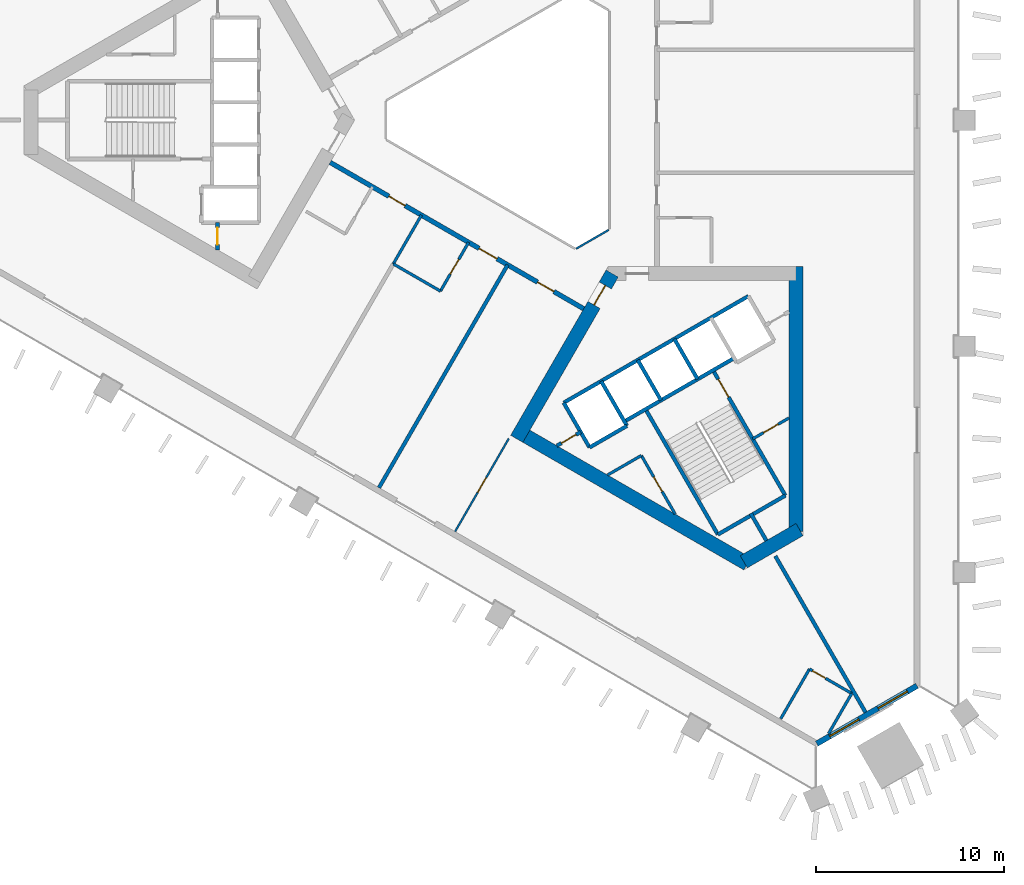
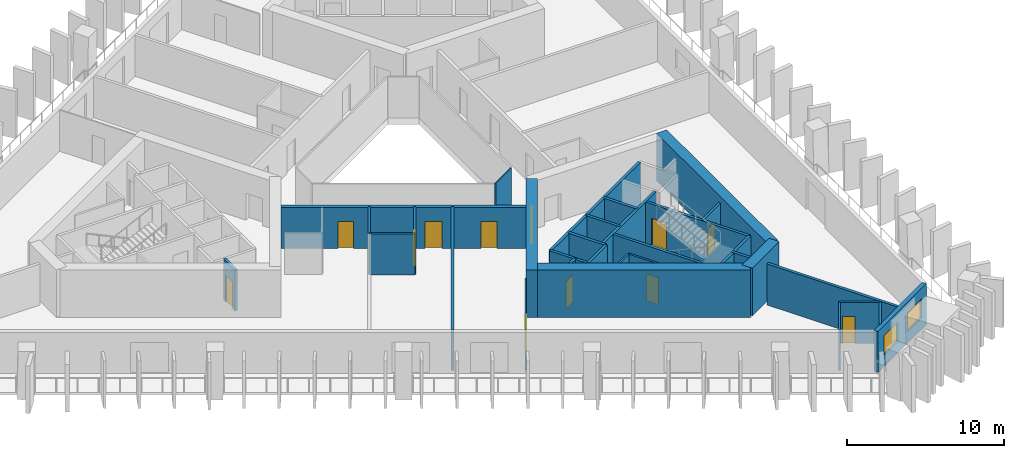
# One storey, part 2 of 10: 32 walls, 12 doors, 2 windows, 14 openings.
"""IFC4 building model written with IfcOpenShell, lengths in metres."""

from ifc_helpers import new_model, si_unit, direction, frame, frame_2d, origin, place, context, subcontext, project, spatial, rectangle, extrude, material, layer, layer_set, type_object, element, fill, save


model = new_model("IFC4")

# Units and contexts
model_context = context("Model", 3, precision=1e-05, world=origin(), true_north=direction((0.0, 1.0)))
body_context = subcontext(model_context, "Body", "Model", "MODEL_VIEW")
ifc_project = project(units=[si_unit("LENGTHUNIT", "METRE"), si_unit("AREAUNIT", "SQUARE_METRE"), si_unit("VOLUMEUNIT", "CUBIC_METRE"), si_unit("PLANEANGLEUNIT", "RADIAN"), si_unit("MASSUNIT", "GRAM", prefix="KILO")], contexts=[model_context])

# Site, building, storey
site_placement = place(None, origin())
site = spatial("IfcSite", under=ifc_project, at=site_placement, CompositionType="ELEMENT")
building_placement = place(site_placement, origin())
building = spatial("IfcBuilding", under=site, at=building_placement, Name="Jabali Bay Hotel Tower and Convention Centre", CompositionType="ELEMENT")
storey_placement = place(building_placement, frame((0.0, 0.0, 57.300048828125)))
storey = spatial("IfcBuildingStorey", under=building, at=storey_placement, Name="L12", CompositionType="ELEMENT", Elevation=57.300048828125)

# Wall
ifc_material_1 = material(Name="Fire-resistant glazing", Category="glass")
ifc_layer_1 = layer(ifc_material_1, 0.10009765625)
ifc_layer_set_1 = layer_set([ifc_layer_1], Name="Fire-resistant glazing")
wall_type_1 = type_object("IfcWallType", Name="Atrium glazed screen 100", PredefinedType="PARTITIONING", material=ifc_layer_set_1)
wall_1_placement = place(storey_placement, frame((77.7978515625, 73.15380859375, 0.0), z_axis=(0.0, 0.0, 1.0), x_axis=(0.866041268327, 0.499972520799, 0.0)))
element("IfcWall", 1, at=wall_1_placement, inside=storey, type_object=wall_type_1, Name="Atrium screen 6 L12", PredefinedType="PARTITIONING", context=body_context, shape_type="SweptSolid", body=[
    extrude(rectangle(XDim=2.0, YDim=0.10009765625, at=frame_2d((1.0, 0.0))), origin(), (0.0, 0.0, 1.0), 3.199951171875),
])

# Wall, opening, door
ifc_material_2 = material(Name="Concrete C40", Category="concrete")
ifc_layer_2 = layer(ifc_material_2, 0.199951171875)
ifc_layer_set_2 = layer_set([ifc_layer_2], Name="Concrete C40")
wall_type_2 = type_object("IfcWallType", Name="Core partition wall 200", PredefinedType="PARTITIONING", material=ifc_layer_set_2)
wall_2_placement = place(storey_placement, frame((58.699951171875, 74.550048828125, 0.0), z_axis=(0.0, 0.0, 1.0), x_axis=(0.0, -1.0, 0.0)))
wall_2 = element("IfcWall", 2, at=wall_2_placement, inside=storey, type_object=wall_type_2, Name="Core wall 0.12 L12", PredefinedType="PARTITIONING", context=body_context, shape_type="SweptSolid", body=[
    extrude(rectangle(XDim=1.455078125, YDim=0.199951171875, at=frame_2d((0.7275390625, 0.0))), origin(), (0.0, 0.0, 1.0), 3.199951171875),
])
opening_1_placement = place(wall_2_placement, frame((0.277587890625, 0.0, 0.0)))
opening_1 = element("IfcOpeningElement", 3, at=opening_1_placement, cuts=wall_2, Name="Opening D327", PredefinedType="OPENING", context=body_context, shape_type="SweptSolid", body=[
    extrude(rectangle(XDim=0.89990234375, YDim=2.10009765625, at=frame_2d((0.449951171875, 1.050048828125))), frame((0.0, 0.1103515625, 0.0), z_axis=(0.0, -1.0, 0.0), x_axis=(1.0, 0.0, 0.0)), (0.0, 0.0, 1.0), 0.220947265625),
])
ifc_material_3 = material(Name="Fire-rated steel door", Category="steel")
door_type_1 = type_object("IfcDoorType", Name="Vestibule fire door 900 x 2100", OperationType="NOTDEFINED", PredefinedType="NOTDEFINED", material=ifc_material_3)
door_1_placement = place(opening_1_placement, origin())
door_1 = element("IfcDoor", 4, at=door_1_placement, inside=storey, type_object=door_type_1, Name="Vestibule fire door D327", OperationType="SINGLE_SWING_LEFT", OverallHeight=2.10009765625, OverallWidth=0.89990234375, PredefinedType="NOTDEFINED", context=body_context, shape_type="SweptSolid", body=[
    extrude(rectangle(XDim=0.89990234375, YDim=2.10009765625, at=frame_2d((0.449951171875, 1.050048828125))), frame((0.0, 0.02490234375, 0.0), z_axis=(0.0, -1.0, 0.0), x_axis=(1.0, 0.0, 0.0)), (0.0, 0.0, 1.0), 0.050048828125),
])
fill(opening_1, door_1)

# Wall
wall_3_placement = place(storey_placement, frame((87.090087890625, 59.0595703125, 0.0), z_axis=(0.0, 0.0, 1.0), x_axis=(0.499937194881, -0.866061661301, 0.0)))
element("IfcWall", 5, at=wall_3_placement, inside=storey, type_object=wall_type_2, Name="Core wall 2.5 L12", PredefinedType="PARTITIONING", context=body_context, shape_type="SweptSolid", body=[
    extrude(rectangle(XDim=1.673095703125, YDim=0.199951171875, at=frame_2d((0.83642578125, 0.0))), origin(), (0.0, 0.0, 1.0), 3.199951171875),
])

# Wall, opening, door
wall_4_placement = place(storey_placement, frame((76.77001953125, 62.662109375, 0.0), z_axis=(0.0, 0.0, 1.0), x_axis=(0.866054810376, 0.49994906283, 0.0)))
wall_4 = element("IfcWall", 6, at=wall_4_placement, inside=storey, type_object=wall_type_2, Name="Core wall 2.11 L12", PredefinedType="PARTITIONING", context=body_context, shape_type="SweptSolid", body=[
    extrude(rectangle(XDim=1.461181640625, YDim=0.199951171875, at=frame_2d((0.73046875, 0.0))), origin(), (0.0, 0.0, 1.0), 3.199951171875),
])
opening_2_placement = place(wall_4_placement, frame((0.280517578125, 0.0, 0.0)))
opening_2 = element("IfcOpeningElement", 7, at=opening_2_placement, cuts=wall_4, Name="Opening D342", PredefinedType="OPENING", context=body_context, shape_type="SweptSolid", body=[
    extrude(rectangle(XDim=0.89990234375, YDim=2.10009765625, at=frame_2d((0.449951171875, 1.050048828125))), frame((0.0, 0.1103515625, 0.0), z_axis=(0.0, -1.0, 0.0), x_axis=(1.0, 0.0, 0.0)), (0.0, 0.0, 1.0), 0.220947265625),
])
door_2_placement = place(opening_2_placement, origin())
door_2 = element("IfcDoor", 8, at=door_2_placement, inside=storey, type_object=door_type_1, Name="Vestibule fire door D342", OperationType="SINGLE_SWING_LEFT", OverallHeight=2.10009765625, OverallWidth=0.89990234375, PredefinedType="NOTDEFINED", context=body_context, shape_type="SweptSolid", body=[
    extrude(rectangle(XDim=0.89990234375, YDim=2.10009765625, at=frame_2d((0.449951171875, 1.050048828125))), frame((0.0, 0.02490234375, 0.0), z_axis=(0.0, -1.0, 0.0), x_axis=(1.0, 0.0, 0.0)), (0.0, 0.0, 1.0), 0.050048828125),
])
fill(opening_2, door_2)

ifc_material_4 = material(Name="Fire-rated board partition")
ifc_layer_3 = layer(ifc_material_4, 0.14990234375)
ifc_layer_set_3 = layer_set([ifc_layer_3], Name="Fire-rated board partition")
wall_type_3 = type_object("IfcWallType", Name="Core room partition 150", PredefinedType="PARTITIONING", material=ifc_layer_set_3)
wall_5_placement = place(storey_placement, frame((81.268798828125, 62.141845703125, 0.0), z_axis=(0.0, 0.0, 1.0), x_axis=(0.500043557135, -0.866000254601, 0.0)))
wall_5 = element("IfcWall", 9, at=wall_5_placement, inside=storey, type_object=wall_type_3, Name="Core wall 2.1 L12", PredefinedType="PARTITIONING", context=body_context, shape_type="SweptSolid", body=[
    extrude(rectangle(XDim=3.597900390625, YDim=0.14990234375, at=frame_2d((1.798828125, 0.0))), origin(), (0.0, 0.0, 1.0), 3.199951171875),
])
opening_3_placement = place(wall_5_placement, frame((1.321533203125, 0.0, 0.0)))
opening_3 = element("IfcOpeningElement", 10, at=opening_3_placement, cuts=wall_5, Name="Opening D344", PredefinedType="OPENING", context=body_context, shape_type="SweptSolid", body=[
    extrude(rectangle(XDim=0.89990234375, YDim=2.10009765625, at=frame_2d((0.449951171875, 1.050048828125))), frame((0.0, 0.08544921875, 0.0), z_axis=(0.0, -1.0, 0.0), x_axis=(1.0, 0.0, 0.0)), (0.0, 0.0, 1.0), 0.1708984375),
])
door_type_2 = type_object("IfcDoorType", Name="Core room door 900 x 2100", OperationType="NOTDEFINED", PredefinedType="NOTDEFINED", material=ifc_material_3)
door_3_placement = place(opening_3_placement, origin())
door_3 = element("IfcDoor", 11, at=door_3_placement, inside=storey, type_object=door_type_2, Name="Core room door D344", OperationType="SINGLE_SWING_LEFT", OverallHeight=2.10009765625, OverallWidth=0.89990234375, PredefinedType="NOTDEFINED", context=body_context, shape_type="SweptSolid", body=[
    extrude(rectangle(XDim=0.89990234375, YDim=2.10009765625, at=frame_2d((0.449951171875, 1.050048828125))), frame((0.0, 0.02490234375, 0.0), z_axis=(0.0, -1.0, 0.0), x_axis=(1.0, 0.0, 0.0)), (0.0, 0.0, 1.0), 0.050048828125),
])
fill(opening_3, door_3)

# Wall
wall_6_placement = place(storey_placement, frame((79.469970703125, 61.103271484375, 0.0), z_axis=(0.0, 0.0, 1.0), x_axis=(0.866021168401, 0.500007335828, 0.0)))
element("IfcWall", 12, at=wall_6_placement, inside=storey, type_object=wall_type_3, Name="Core wall 2.16 L12", PredefinedType="PARTITIONING", context=body_context, shape_type="SweptSolid", body=[
    extrude(rectangle(XDim=2.0771484375, YDim=0.14990234375, at=frame_2d((1.03857421875, 0.0))), origin(), (0.0, 0.0, 1.0), 3.199951171875),
])

# Wall, opening, door
wall_7_placement = place(storey_placement, frame((87.197021484375, 63.024169921875, 0.0), z_axis=(0.0, 0.0, 1.0), x_axis=(0.866019818373, 0.500009674092, 0.0)))
wall_7 = element("IfcWall", 13, at=wall_7_placement, inside=storey, type_object=wall_type_3, Name="Core wall 2.17 L12", PredefinedType="PARTITIONING", context=body_context, shape_type="SweptSolid", body=[
    extrude(rectangle(XDim=2.23193359375, YDim=0.14990234375, at=frame_2d((1.115966796875, 0.0))), origin(), (0.0, 0.0, 1.0), 3.199951171875),
])
opening_4_placement = place(wall_7_placement, frame((0.666015625, 0.0, 0.0)))
opening_4 = element("IfcOpeningElement", 14, at=opening_4_placement, cuts=wall_7, Name="Opening D340", PredefinedType="OPENING", context=body_context, shape_type="SweptSolid", body=[
    extrude(rectangle(XDim=0.89990234375, YDim=2.10009765625, at=frame_2d((0.449951171875, 1.050048828125))), frame((0.0, 0.08544921875, 0.0), z_axis=(0.0, -1.0, 0.0), x_axis=(1.0, 0.0, 0.0)), (0.0, 0.0, 1.0), 0.1708984375),
])
door_4_placement = place(opening_4_placement, origin())
door_4 = element("IfcDoor", 15, at=door_4_placement, inside=storey, type_object=door_type_2, Name="Core room door D340", OperationType="SINGLE_SWING_LEFT", OverallHeight=2.10009765625, OverallWidth=0.89990234375, PredefinedType="NOTDEFINED", context=body_context, shape_type="SweptSolid", body=[
    extrude(rectangle(XDim=0.89990234375, YDim=2.10009765625, at=frame_2d((0.449951171875, 1.050048828125))), frame((0.0, 0.02490234375, 0.0), z_axis=(0.0, -1.0, 0.0), x_axis=(1.0, 0.0, 0.0)), (0.0, 0.0, 1.0), 0.050048828125),
])
fill(opening_4, door_4)

# Walls
ifc_layer_4 = layer(ifc_material_2, 0.199951171875)
ifc_layer_set_4 = layer_set([ifc_layer_4], Name="Concrete C40")
wall_type_4 = type_object("IfcWallType", Name="Core stair wall 200", PredefinedType="SOLIDWALL", material=ifc_layer_set_4)
for number, where, z_axis, x_axis, name in (
    (16, (77.13525390625, 64.95166015625, 0.0), (0.0, 0.0, 1.0), (0.499996545922, -0.866027397988, 0.0), "Core wall 2.0 L12"),
    (17, (79.127197265625, 66.1015625, 0.0), (0.0, 0.0, 1.0), (0.499996545922, -0.866027397988, 0.0), "Core wall 2.2 L12"),
):
    element("IfcWall", number, at=place(storey_placement, frame(where, z_axis=z_axis, x_axis=x_axis)), inside=storey, type_object=wall_type_4, Name=name, PredefinedType="SOLIDWALL", context=body_context, shape_type="SweptSolid", body=[
        extrude(rectangle(XDim=2.75, YDim=0.199951171875, at=frame_2d((1.375, 0.0))), origin(), (0.0, 0.0, 1.0), 3.199951171875),
    ])
wall_8_placement = place(storey_placement, frame((81.492919921875, 64.603759765625, 0.0), z_axis=(0.0, 0.0, 1.0), x_axis=(0.500006057782, -0.866021906294, 0.0)))
element("IfcWall", 18, at=wall_8_placement, inside=storey, type_object=wall_type_4, Name="Core wall 2.3 L12", PredefinedType="SOLIDWALL", context=body_context, shape_type="SweptSolid", body=[
    extrude(rectangle(XDim=7.7001953125, YDim=0.199951171875, at=frame_2d((3.85009765625, 0.0))), origin(), (0.0, 0.0, 1.0), 3.199951171875),
])
for number, where, z_axis, x_axis, name in (
    (19, (81.07568359375, 67.2265625, 0.0), (0.0, 0.0, 1.0), (0.50000366821, -0.866023285932, 0.0), "Core wall 2.4 L12"),
    (20, (83.024169921875, 68.3515625, 0.0), (0.0, 0.0, 1.0), (0.50000366821, -0.866023285932, 0.0), "Core wall 2.6 L12"),
):
    element("IfcWall", number, at=place(storey_placement, frame(where, z_axis=z_axis, x_axis=x_axis)), inside=storey, type_object=wall_type_4, Name=name, PredefinedType="SOLIDWALL", context=body_context, shape_type="SweptSolid", body=[
        extrude(rectangle(XDim=2.47998046875, YDim=0.199951171875, at=frame_2d((1.239990234375, 0.0))), origin(), (0.0, 0.0, 1.0), 3.199951171875),
    ])

# Wall, opening, door
wall_9_placement = place(storey_placement, frame((85.0869140625, 66.6787109375, 0.0), z_axis=(0.0, 0.0, 1.0), x_axis=(0.500019787375, -0.866013979237, 0.0)))
wall_9 = element("IfcWall", 21, at=wall_9_placement, inside=storey, type_object=wall_type_4, Name="Core wall 2.7 L12", PredefinedType="SOLIDWALL", context=body_context, shape_type="SweptSolid", body=[
    extrude(rectangle(XDim=7.699951171875, YDim=0.199951171875, at=frame_2d((3.85009765625, 0.0))), origin(), (0.0, 0.0, 1.0), 3.199951171875),
])
opening_5_placement = place(wall_9_placement, frame((0.550048828125, 0.0, 0.0)))
opening_5 = element("IfcOpeningElement", 22, at=opening_5_placement, cuts=wall_9, Name="Opening D343", PredefinedType="OPENING", context=body_context, shape_type="SweptSolid", body=[
    extrude(rectangle(XDim=1.10009765625, YDim=2.10009765625, at=frame_2d((0.550048828125, 1.050048828125))), frame((0.0, 0.1103515625, 0.0), z_axis=(0.0, -1.0, 0.0), x_axis=(1.0, 0.0, 0.0)), (0.0, 0.0, 1.0), 0.220947265625),
])
door_type_3 = type_object("IfcDoorType", Name="Stair fire door 1100 x 2100", OperationType="NOTDEFINED", PredefinedType="NOTDEFINED", material=ifc_material_3)
door_5_placement = place(opening_5_placement, origin())
door_5 = element("IfcDoor", 23, at=door_5_placement, inside=storey, type_object=door_type_3, Name="Stair fire door D343", OperationType="SINGLE_SWING_RIGHT", OverallHeight=2.10009765625, OverallWidth=1.10009765625, PredefinedType="NOTDEFINED", context=body_context, shape_type="SweptSolid", body=[
    extrude(rectangle(XDim=1.10009765625, YDim=2.10009765625, at=frame_2d((0.550048828125, 1.050048828125))), frame((0.0, 0.02490234375, 0.0), z_axis=(0.0, -1.0, 0.0), x_axis=(1.0, 0.0, 0.0)), (0.0, 0.0, 1.0), 0.050048828125),
])
fill(opening_5, door_5)

# Walls
wall_10_placement = place(storey_placement, frame((77.13525390625, 64.95166015625, 0.0), z_axis=(0.0, 0.0, 1.0), x_axis=(0.866031916153, 0.499988720078, 0.0)))
element("IfcWall", 24, at=wall_10_placement, inside=storey, type_object=wall_type_4, Name="Core wall 2.10 L12", PredefinedType="SOLIDWALL", context=body_context, shape_type="SweptSolid", body=[
    extrude(rectangle(XDim=11.349853515625, YDim=0.199951171875, at=frame_2d((5.6748046875, 0.0))), origin(), (0.0, 0.0, 1.0), 3.199951171875),
])
wall_11_placement = place(storey_placement, frame((80.3671875, 63.953857421875, 0.0), z_axis=(0.0, 0.0, 1.0), x_axis=(0.866026575979, 0.499997969693, 0.0)))
element("IfcWall", 25, at=wall_11_placement, inside=storey, type_object=wall_type_4, Name="Core wall 2.13 L12", PredefinedType="SOLIDWALL", context=body_context, shape_type="SweptSolid", body=[
    extrude(rectangle(XDim=6.75, YDim=0.199951171875, at=frame_2d((3.375, 0.0))), origin(), (0.0, 0.0, 1.0), 3.199951171875),
])
wall_12_placement = place(storey_placement, frame((78.51025390625, 62.570068359375, 0.0), z_axis=(0.0, 0.0, 1.0), x_axis=(0.866053019151, 0.499952165731, 0.0)))
element("IfcWall", 26, at=wall_12_placement, inside=storey, type_object=wall_type_4, Name="Core wall 2.14 L12", PredefinedType="SOLIDWALL", context=body_context, shape_type="SweptSolid", body=[
    extrude(rectangle(XDim=2.300048828125, YDim=0.199951171875, at=frame_2d((1.14990234375, 0.0))), origin(), (0.0, 0.0, 1.0), 3.199951171875),
])
wall_13_placement = place(storey_placement, frame((85.343017578125, 57.935302734375, 0.0), z_axis=(0.0, 0.0, 1.0), x_axis=(0.866004344652, 0.500036473714, 0.0)))
element("IfcWall", 27, at=wall_13_placement, inside=storey, type_object=wall_type_4, Name="Core wall 2.18 L12", PredefinedType="SOLIDWALL", context=body_context, shape_type="SweptSolid", body=[
    extrude(rectangle(XDim=4.150146484375, YDim=0.199951171875, at=frame_2d((2.0751953125, 0.0))), origin(), (0.0, 0.0, 1.0), 3.199951171875),
])

# Wall, opening, door
ifc_material_5 = material(Name="Concrete C60", Category="concrete")
ifc_layer_5 = layer(ifc_material_5, 0.75)
ifc_layer_set_5 = layer_set([ifc_layer_5], Name="Concrete C60")
wall_type_5 = type_object("IfcWallType", Name="Core wall 750", PredefinedType="SHEAR", material=ifc_layer_set_5)
wall_14_placement = place(storey_placement, frame((79.716552734375, 71.830810546875, 0.0), z_axis=(0.0, 0.0, 1.0), x_axis=(-0.499996230114, -0.866027580318, 0.0)))
wall_14 = element("IfcWall", 28, at=wall_14_placement, inside=storey, type_object=wall_type_5, Name="Core wall 3.1 L12", PredefinedType="SHEAR", context=body_context, shape_type="SweptSolid", body=[
    extrude(rectangle(XDim=10.16357421875, YDim=0.75, at=frame_2d((5.081787109375, 0.0))), origin(), (0.0, 0.0, 1.0), 3.699951171875),
])
opening_6_placement = place(wall_14_placement, frame((0.7333984375, 0.0, 0.0)))
opening_6 = element("IfcOpeningElement", 29, at=opening_6_placement, cuts=wall_14, Name="Opening D338", PredefinedType="OPENING", context=body_context, shape_type="SweptSolid", body=[
    extrude(rectangle(XDim=1.199951171875, YDim=2.10009765625, at=frame_2d((0.60009765625, 1.050048828125))), frame((0.0, 0.385498046875, 0.0), z_axis=(0.0, -1.0, 0.0), x_axis=(1.0, 0.0, 0.0)), (0.0, 0.0, 1.0), 0.77099609375),
])
door_type_4 = type_object("IfcDoorType", Name="Corridor end fire door 1200 x 2100", OperationType="NOTDEFINED", PredefinedType="NOTDEFINED", material=ifc_material_3)
door_6_placement = place(opening_6_placement, origin())
door_6 = element("IfcDoor", 30, at=door_6_placement, inside=storey, type_object=door_type_4, Name="Corridor end fire door D338", OperationType="SINGLE_SWING_RIGHT", OverallHeight=2.10009765625, OverallWidth=1.199951171875, PredefinedType="NOTDEFINED", context=body_context, shape_type="SweptSolid", body=[
    extrude(rectangle(XDim=1.199951171875, YDim=2.10009765625, at=frame_2d((0.60009765625, 1.050048828125))), frame((0.0, 0.02490234375, 0.0), z_axis=(0.0, -1.0, 0.0), x_axis=(1.0, 0.0, 0.0)), (0.0, 0.0, 1.0), 0.050048828125),
])
fill(opening_6, door_6)

# Walls
wall_15_placement = place(storey_placement, frame((74.822265625, 63.353759765625, 0.0), z_axis=(0.0, 0.0, 1.0), x_axis=(0.8660248072, -0.500001033313, 0.0)))
element("IfcWall", 31, at=wall_15_placement, inside=storey, type_object=wall_type_5, Name="Core wall 3.2 L12", PredefinedType="SHEAR", context=body_context, shape_type="SweptSolid", body=[
    extrude(rectangle(XDim=13.95849609375, YDim=0.75, at=frame_2d((6.979248046875, 0.0))), origin(), (0.0, 0.0, 1.0), 3.699951171875),
])
wall_16_placement = place(storey_placement, frame((86.72314453125, 56.482666015625, 0.0), z_axis=(0.0, 0.0, 1.0), x_axis=(0.866017201164, 0.500014207086, 0.0)))
element("IfcWall", 32, at=wall_16_placement, inside=storey, type_object=wall_type_5, Name="Core wall 3.3 L12", PredefinedType="SHEAR", context=body_context, shape_type="SweptSolid", body=[
    extrude(rectangle(XDim=3.4287109375, YDim=0.75, at=frame_2d((1.71435546875, 0.0))), origin(), (0.0, 0.0, 1.0), 3.699951171875),
])
wall_17_placement = place(storey_placement, frame((89.5048828125, 58.0888671875, 0.0), z_axis=(0.0, 0.0, 1.0), x_axis=(0.0, 1.0, 0.0)))
element("IfcWall", 33, at=wall_17_placement, inside=storey, type_object=wall_type_5, Name="Core wall 3.4 L12", PredefinedType="SHEAR", context=body_context, shape_type="SweptSolid", body=[
    extrude(rectangle(XDim=14.116943359375, YDim=0.75, at=frame_2d((7.05859375, 0.0))), origin(), (0.0, 0.0, 1.0), 3.699951171875),
])

# Wall, openings, doors
ifc_layer_6 = layer(ifc_material_5, 0.25)
ifc_layer_set_6 = layer_set([ifc_layer_6], Name="Concrete C60")
wall_type_6 = type_object("IfcWallType", Name="Corridor wall 250", PredefinedType="SHEAR", material=ifc_layer_set_6)
wall_18_placement = place(storey_placement, frame((64.699951171875, 77.748291015625, 0.0), z_axis=(0.0, 0.0, 1.0), x_axis=(0.866026492143, -0.499998114903, 0.0)))
wall_18 = element("IfcWall", 34, at=wall_18_placement, inside=storey, type_object=wall_type_6, Name="Corridor wall 3 L12", PredefinedType="SHEAR", context=body_context, shape_type="SweptSolid", body=[
    extrude(rectangle(XDim=15.58837890625, YDim=0.25, at=frame_2d((7.794189453125, 0.0))), origin(), (0.0, 0.0, 1.0), 3.199951171875),
])
opening_7_placement = place(wall_18_placement, frame((3.60595703125, 0.0, 0.0)))
opening_7 = element("IfcOpeningElement", 35, at=opening_7_placement, cuts=wall_18, Name="Opening 1215", PredefinedType="OPENING", context=body_context, shape_type="SweptSolid", body=[
    extrude(rectangle(XDim=1.0, YDim=2.10009765625, at=frame_2d((0.5, 1.050048828125))), frame((0.0, 0.135498046875, 0.0), z_axis=(0.0, -1.0, 0.0), x_axis=(1.0, 0.0, 0.0)), (0.0, 0.0, 1.0), 0.27099609375),
])
opening_8_placement = place(wall_18_placement, frame((9.161865234375, 0.0, 0.0)))
opening_8 = element("IfcOpeningElement", 36, at=opening_8_placement, cuts=wall_18, Name="Opening 1217", PredefinedType="OPENING", context=body_context, shape_type="SweptSolid", body=[
    extrude(rectangle(XDim=1.10009765625, YDim=2.10009765625, at=frame_2d((0.550048828125, 1.050048828125))), frame((0.0, 0.135498046875, 0.0), z_axis=(0.0, -1.0, 0.0), x_axis=(1.0, 0.0, 0.0)), (0.0, 0.0, 1.0), 0.27099609375),
])
opening_9_placement = place(wall_18_placement, frame((12.750244140625, 0.0, 0.0)))
opening_9 = element("IfcOpeningElement", 37, at=opening_9_placement, cuts=wall_18, Name="Opening 1218", PredefinedType="OPENING", context=body_context, shape_type="SweptSolid", body=[
    extrude(rectangle(XDim=1.0, YDim=2.10009765625, at=frame_2d((0.5, 1.050048828125))), frame((0.0, 0.135498046875, 0.0), z_axis=(0.0, -1.0, 0.0), x_axis=(1.0, 0.0, 0.0)), (0.0, 0.0, 1.0), 0.27099609375),
])
ifc_material_6 = material(Name="Timber", Category="wood")
door_type_5 = type_object("IfcDoorType", Name="Accessible guest room door 1100 x 2100", OperationType="NOTDEFINED", PredefinedType="NOTDEFINED", material=ifc_material_6)
door_7_placement = place(opening_8_placement, origin())
door_7 = element("IfcDoor", 38, at=door_7_placement, inside=storey, type_object=door_type_5, Name="Door 1217", OperationType="SINGLE_SWING_RIGHT", OverallHeight=2.10009765625, OverallWidth=1.10009765625, PredefinedType="NOTDEFINED", context=body_context, shape_type="SweptSolid", body=[
    extrude(rectangle(XDim=1.10009765625, YDim=2.10009765625, at=frame_2d((0.550048828125, 1.050048828125))), frame((0.0, 0.02490234375, 0.0), z_axis=(0.0, -1.0, 0.0), x_axis=(1.0, 0.0, 0.0)), (0.0, 0.0, 1.0), 0.050048828125),
])
fill(opening_8, door_7)
door_type_6 = type_object("IfcDoorType", Name="Guest room door 1000 x 2100", OperationType="NOTDEFINED", PredefinedType="NOTDEFINED", material=ifc_material_6)
door_8_placement = place(opening_7_placement, origin())
door_8 = element("IfcDoor", 39, at=door_8_placement, inside=storey, type_object=door_type_6, Name="Door 1215", OperationType="SINGLE_SWING_LEFT", OverallHeight=2.10009765625, OverallWidth=1.0, PredefinedType="NOTDEFINED", context=body_context, shape_type="SweptSolid", body=[
    extrude(rectangle(XDim=1.0, YDim=2.10009765625, at=frame_2d((0.5, 1.050048828125))), frame((0.0, 0.02490234375, 0.0), z_axis=(0.0, -1.0, 0.0), x_axis=(1.0, 0.0, 0.0)), (0.0, 0.0, 1.0), 0.050048828125),
])
fill(opening_7, door_8)
door_9_placement = place(opening_9_placement, origin())
door_9 = element("IfcDoor", 40, at=door_9_placement, inside=storey, type_object=door_type_6, Name="Door 1218", OperationType="SINGLE_SWING_RIGHT", OverallHeight=2.10009765625, OverallWidth=1.0, PredefinedType="NOTDEFINED", context=body_context, shape_type="SweptSolid", body=[
    extrude(rectangle(XDim=1.0, YDim=2.10009765625, at=frame_2d((0.5, 1.050048828125))), frame((0.0, 0.02490234375, 0.0), z_axis=(0.0, -1.0, 0.0), x_axis=(1.0, 0.0, 0.0)), (0.0, 0.0, 1.0), 0.050048828125),
])
fill(opening_9, door_9)

# Wall, openings, windows
ifc_layer_7 = layer(ifc_material_2, 0.300048828125)
ifc_layer_set_7 = layer_set([ifc_layer_7], Name="Concrete C40")
wall_type_7 = type_object("IfcWallType", Name="External wall 300", PredefinedType="SOLIDWALL", material=ifc_layer_set_7)
wall_19_placement = place(storey_placement, frame((95.94873046875, 49.8798828125, 0.0), z_axis=(0.0, 0.0, 1.0), x_axis=(-0.866031251647, -0.499989871069, 0.0)))
wall_19 = element("IfcWall", 41, at=wall_19_placement, inside=storey, type_object=wall_type_7, Name="External wall south-east chamfer L12", PredefinedType="SOLIDWALL", context=body_context, shape_type="SweptSolid", body=[
    extrude(rectangle(XDim=6.164306640625, YDim=0.300048828125, at=frame_2d((3.08203125, 0.0))), origin(), (0.0, 0.0, 1.0), 3.199951171875),
])
opening_10_placement = place(wall_19_placement, frame((3.57958984375, 0.0, 0.89990234375)))
opening_10 = element("IfcOpeningElement", 42, at=opening_10_placement, cuts=wall_19, Name="Opening W1", PredefinedType="OPENING", context=body_context, shape_type="SweptSolid", body=[
    extrude(rectangle(XDim=1.800048828125, YDim=1.5, at=frame_2d((0.89990234375, 0.75))), frame((0.0, 0.16064453125, 0.0), z_axis=(0.0, -1.0, 0.0), x_axis=(1.0, 0.0, 0.0)), (0.0, 0.0, 1.0), 0.321044921875),
])
opening_11_placement = place(wall_19_placement, frame((0.598388671875, 0.0, 0.89990234375)))
opening_11 = element("IfcOpeningElement", 43, at=opening_11_placement, cuts=wall_19, Name="Opening W1", PredefinedType="OPENING", context=body_context, shape_type="SweptSolid", body=[
    extrude(rectangle(XDim=1.800048828125, YDim=1.5, at=frame_2d((0.89990234375, 0.75))), frame((0.0, 0.16064453125, 0.0), z_axis=(0.0, -1.0, 0.0), x_axis=(1.0, 0.0, 0.0)), (0.0, 0.0, 1.0), 0.321044921875),
])
ifc_material_7 = material(Name="Glass", Category="glass")
window_type = type_object("IfcWindowType", Name="Window 1800 x 1500", PartitioningType="SINGLE_PANEL", PredefinedType="WINDOW", material=ifc_material_7)
window_1_placement = place(opening_10_placement, origin())
window_1 = element("IfcWindow", 44, at=window_1_placement, inside=storey, type_object=window_type, Name="Window 1208", OverallHeight=1.5, OverallWidth=1.800048828125, PartitioningType="SINGLE_PANEL", PredefinedType="WINDOW", context=body_context, shape_type="SweptSolid", body=[
    extrude(rectangle(XDim=1.800048828125, YDim=1.5, at=frame_2d((0.89990234375, 0.75))), frame((0.0, 0.030029296875, 0.0), z_axis=(0.0, -1.0, 0.0), x_axis=(1.0, 0.0, 0.0)), (0.0, 0.0, 1.0), 0.06005859375),
])
fill(opening_10, window_1)
window_2_placement = place(opening_11_placement, origin())
window_2 = element("IfcWindow", 45, at=window_2_placement, inside=storey, type_object=window_type, Name="Window 1201", OverallHeight=1.5, OverallWidth=1.800048828125, PartitioningType="SINGLE_PANEL", PredefinedType="WINDOW", context=body_context, shape_type="SweptSolid", body=[
    extrude(rectangle(XDim=1.800048828125, YDim=1.5, at=frame_2d((0.89990234375, 0.75))), frame((0.0, 0.030029296875, 0.0), z_axis=(0.0, -1.0, 0.0), x_axis=(1.0, 0.0, 0.0)), (0.0, 0.0, 1.0), 0.06005859375),
])
fill(opening_11, window_2)

# Wall, opening, door
ifc_material_8 = material(Name="Plasterboard on steel stud", Category="steel")
ifc_layer_8 = layer(ifc_material_8, 0.10009765625)
ifc_layer_set_8 = layer_set([ifc_layer_8], Name="Plasterboard on steel stud")
wall_type_8 = type_object("IfcWallType", Name="Partition 100 unit", PredefinedType="PARTITIONING", material=ifc_layer_set_8)
wall_20_placement = place(storey_placement, frame((71.35009765625, 58.089599609375, 0.0), z_axis=(0.0, 0.0, 1.0), x_axis=(0.499976111731, 0.866039195244, 0.0)))
wall_20 = element("IfcWall", 46, at=wall_20_placement, inside=storey, type_object=wall_type_8, Name="Partition P02 L12 029", PredefinedType="PARTITIONING", context=body_context, shape_type="SweptSolid", body=[
    extrude(rectangle(XDim=5.720947265625, YDim=0.10009765625, at=frame_2d((2.8603515625, 0.0))), origin(), (0.0, 0.0, 1.0), 3.199951171875),
])
opening_12_placement = place(wall_20_placement, frame((2.409912109375, 0.0, 0.0)))
opening_12 = element("IfcOpeningElement", 47, at=opening_12_placement, cuts=wall_20, Name="Opening 1219", PredefinedType="OPENING", context=body_context, shape_type="SweptSolid", body=[
    extrude(rectangle(XDim=0.89990234375, YDim=2.10009765625, at=frame_2d((0.449951171875, 1.050048828125))), frame((0.0, 0.060546875, 0.0), z_axis=(0.0, -1.0, 0.0), x_axis=(1.0, 0.0, 0.0)), (0.0, 0.0, 1.0), 0.12109375),
])
door_type_7 = type_object("IfcDoorType", Name="Internal door 900 x 2100", OperationType="NOTDEFINED", PredefinedType="NOTDEFINED", material=ifc_material_6)
door_10_placement = place(opening_12_placement, origin())
door_10 = element("IfcDoor", 48, at=door_10_placement, inside=storey, type_object=door_type_7, Name="Door 1219", OperationType="SINGLE_SWING_LEFT", OverallHeight=2.10009765625, OverallWidth=0.89990234375, PredefinedType="NOTDEFINED", context=body_context, shape_type="SweptSolid", body=[
    extrude(rectangle(XDim=0.89990234375, YDim=2.10009765625, at=frame_2d((0.449951171875, 1.050048828125))), frame((0.0, 0.02490234375, 0.0), z_axis=(0.0, -1.0, 0.0), x_axis=(1.0, 0.0, 0.0)), (0.0, 0.0, 1.0), 0.050048828125),
])
fill(opening_12, door_10)

# Wall
ifc_layer_9 = layer(ifc_material_8, 0.14990234375)
ifc_layer_set_9 = layer_set([ifc_layer_9], Name="Plasterboard on steel stud")
wall_type_9 = type_object("IfcWallType", Name="Partition 150 wet", PredefinedType="PARTITIONING", material=ifc_layer_set_9)
wall_21_placement = place(storey_placement, frame((68.06005859375, 72.34423828125, 0.0), z_axis=(0.0, 0.0, 1.0), x_axis=(0.499990139034, 0.866031096941, 0.0)))
element("IfcWall", 49, at=wall_21_placement, inside=storey, type_object=wall_type_9, Name="Partition P03 L12 025", PredefinedType="PARTITIONING", context=body_context, shape_type="SweptSolid", body=[
    extrude(rectangle(XDim=3.0, YDim=0.14990234375, at=frame_2d((1.5, 0.0))), origin(), (0.0, 0.0, 1.0), 3.199951171875),
])

# Wall, opening, door
wall_22_placement = place(storey_placement, frame((72.071533203125, 73.492431640625, 0.0), z_axis=(0.0, 0.0, 1.0), x_axis=(-0.499990139034, -0.866031096941, 0.0)))
wall_22 = element("IfcWall", 50, at=wall_22_placement, inside=storey, type_object=wall_type_9, Name="Partition P03 L12 026", PredefinedType="PARTITIONING", context=body_context, shape_type="SweptSolid", body=[
    extrude(rectangle(XDim=3.0, YDim=0.14990234375, at=frame_2d((1.5, 0.0))), origin(), (0.0, 0.0, 1.0), 3.199951171875),
])
opening_13_placement = place(wall_22_placement, frame((1.050048828125, 0.0, 0.0)))
opening_13 = element("IfcOpeningElement", 51, at=opening_13_placement, cuts=wall_22, Name="Opening 1216", PredefinedType="OPENING", context=body_context, shape_type="SweptSolid", body=[
    extrude(rectangle(XDim=0.89990234375, YDim=2.10009765625, at=frame_2d((0.449951171875, 1.050048828125))), frame((0.0, 0.08544921875, 0.0), z_axis=(0.0, -1.0, 0.0), x_axis=(1.0, 0.0, 0.0)), (0.0, 0.0, 1.0), 0.1708984375),
])
door_type_8 = type_object("IfcDoorType", Name="Accessible en-suite door 900 x 2100", OperationType="NOTDEFINED", PredefinedType="NOTDEFINED", material=ifc_material_6)
door_11_placement = place(opening_13_placement, origin())
door_11 = element("IfcDoor", 52, at=door_11_placement, inside=storey, type_object=door_type_8, Name="Door 1216", OperationType="SINGLE_SWING_LEFT", OverallHeight=2.10009765625, OverallWidth=0.89990234375, PredefinedType="NOTDEFINED", context=body_context, shape_type="SweptSolid", body=[
    extrude(rectangle(XDim=0.89990234375, YDim=2.10009765625, at=frame_2d((0.449951171875, 1.050048828125))), frame((0.0, 0.02490234375, 0.0), z_axis=(0.0, -1.0, 0.0), x_axis=(1.0, 0.0, 0.0)), (0.0, 0.0, 1.0), 0.050048828125),
])
fill(opening_13, door_11)

# Walls
wall_23_placement = place(storey_placement, frame((70.571533203125, 70.894287109375, 0.0), z_axis=(0.0, 0.0, 1.0), x_axis=(-0.866032775405, 0.499987231761, 0.0)))
element("IfcWall", 53, at=wall_23_placement, inside=storey, type_object=wall_type_9, Name="Partition P03 L12 027", PredefinedType="PARTITIONING", context=body_context, shape_type="SweptSolid", body=[
    extrude(rectangle(XDim=2.89990234375, YDim=0.14990234375, at=frame_2d((1.449951171875, 0.0))), origin(), (0.0, 0.0, 1.0), 3.199951171875),
])
wall_24_placement = place(storey_placement, frame((88.691162109375, 48.125244140625, 0.0), z_axis=(0.0, 0.0, 1.0), x_axis=(0.499978218965, 0.866037978706, 0.0)))
element("IfcWall", 54, at=wall_24_placement, inside=storey, type_object=wall_type_9, Name="Partition P03 L12 030", PredefinedType="PARTITIONING", context=body_context, shape_type="SweptSolid", body=[
    extrude(rectangle(XDim=3.057373046875, YDim=0.14990234375, at=frame_2d((1.52880859375, 0.0))), origin(), (0.0, 0.0, 1.0), 3.199951171875),
])

# Wall, opening, door
wall_25_placement = place(storey_placement, frame((90.2197265625, 50.77294921875, 0.0), z_axis=(0.0, 0.0, 1.0), x_axis=(0.866021400173, -0.500006934395, 0.0)))
wall_25 = element("IfcWall", 55, at=wall_25_placement, inside=storey, type_object=wall_type_9, Name="Partition P03 L12 031", PredefinedType="PARTITIONING", context=body_context, shape_type="SweptSolid", body=[
    extrude(rectangle(XDim=2.60009765625, YDim=0.14990234375, at=frame_2d((1.300048828125, 0.0))), origin(), (0.0, 0.0, 1.0), 3.199951171875),
])
opening_14_placement = place(wall_25_placement, frame((0.199951171875, 0.0, 0.0)))
opening_14 = element("IfcOpeningElement", 56, at=opening_14_placement, cuts=wall_25, Name="Opening 1220", PredefinedType="OPENING", context=body_context, shape_type="SweptSolid", body=[
    extrude(rectangle(XDim=0.800048828125, YDim=2.10009765625, at=frame_2d((0.39990234375, 1.050048828125))), frame((0.0, 0.08544921875, 0.0), z_axis=(0.0, -1.0, 0.0), x_axis=(1.0, 0.0, 0.0)), (0.0, 0.0, 1.0), 0.1708984375),
])
door_type_9 = type_object("IfcDoorType", Name="En-suite door 800 x 2100", OperationType="NOTDEFINED", PredefinedType="NOTDEFINED", material=ifc_material_6)
door_12_placement = place(opening_14_placement, origin())
door_12 = element("IfcDoor", 57, at=door_12_placement, inside=storey, type_object=door_type_9, Name="Door 1220", OperationType="SINGLE_SWING_LEFT", OverallHeight=2.10009765625, OverallWidth=0.800048828125, PredefinedType="NOTDEFINED", context=body_context, shape_type="SweptSolid", body=[
    extrude(rectangle(XDim=0.800048828125, YDim=2.10009765625, at=frame_2d((0.39990234375, 1.050048828125))), frame((0.0, 0.02490234375, 0.0), z_axis=(0.0, -1.0, 0.0), x_axis=(1.0, 0.0, 0.0)), (0.0, 0.0, 1.0), 0.050048828125),
])
fill(opening_14, door_12)

# Walls
wall_26_placement = place(storey_placement, frame((92.471435546875, 49.472900390625, 0.0), z_axis=(0.0, 0.0, 1.0), x_axis=(-0.500044154343, -0.865999909762, 0.0)))
element("IfcWall", 58, at=wall_26_placement, inside=storey, type_object=wall_type_9, Name="Partition P03 L12 032", PredefinedType="PARTITIONING", context=body_context, shape_type="SweptSolid", body=[
    extrude(rectangle(XDim=2.474365234375, YDim=0.14990234375, at=frame_2d((1.2373046875, 0.0))), origin(), (0.0, 0.0, 1.0), 3.199951171875),
])
ifc_layer_10 = layer(ifc_material_8, 0.199951171875)
ifc_layer_set_10 = layer_set([ifc_layer_10], Name="Plasterboard on steel stud")
wall_type_10 = type_object("IfcWallType", Name="Partition 200 party", PredefinedType="PARTITIONING", material=ifc_layer_set_10)
wall_27_placement = place(storey_placement, frame((88.401123046875, 56.788818359375, 0.0), z_axis=(0.0, 0.0, 1.0), x_axis=(0.49998419723, -0.866034527326, 0.0)))
element("IfcWall", 59, at=wall_27_placement, inside=storey, type_object=wall_type_10, Name="Partition P01 L12 004", PredefinedType="PARTITIONING", context=body_context, shape_type="SweptSolid", body=[
    extrude(rectangle(XDim=9.608154296875, YDim=0.199951171875, at=frame_2d((4.80419921875, 0.0))), origin(), (0.0, 0.0, 1.0), 3.199951171875),
])
wall_28_placement = place(storey_placement, frame((67.300048828125, 60.427978515625, 0.0), z_axis=(0.0, 0.0, 1.0), x_axis=(0.499993437113, 0.866029192836, 0.0)))
element("IfcWall", 60, at=wall_28_placement, inside=storey, type_object=wall_type_10, Name="Partition P01 L12 028", PredefinedType="PARTITIONING", context=body_context, shape_type="SweptSolid", body=[
    extrude(rectangle(XDim=13.699951171875, YDim=0.199951171875, at=frame_2d((6.85009765625, 0.0))), origin(), (0.0, 0.0, 1.0), 3.199951171875),
])

save(model, "model.ifc")
